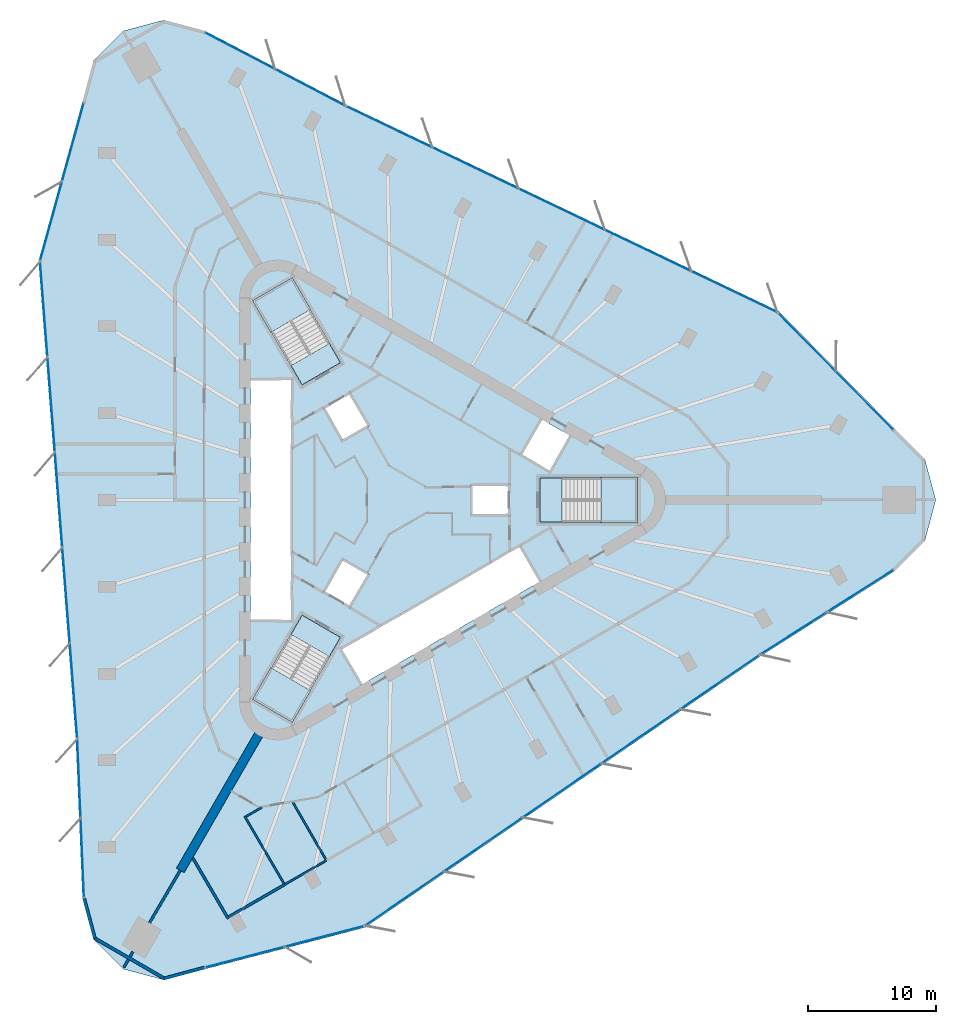
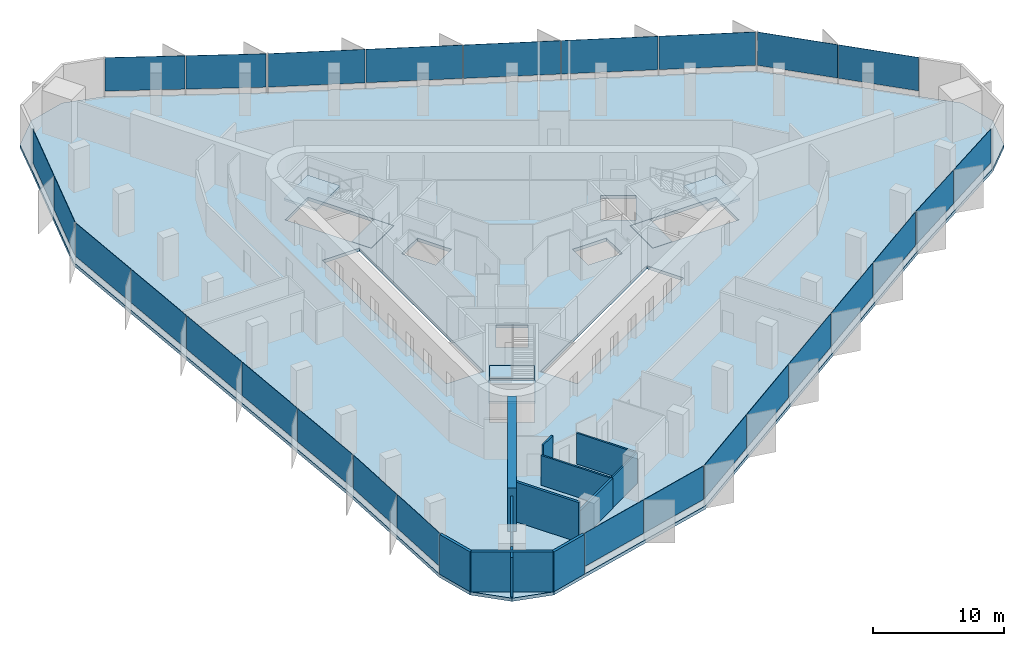
# One storey, part 7 of 13: 27 plates, 13 walls, 7 slabs, 12 elements without a shape of their own.
"""IFC4 building model written with IfcOpenShell, lengths in metres."""

from ifc_helpers import new_model, si_unit, direction, frame, frame_2d, origin, origin_2d, place, context, subcontext, project, spatial, polyline, rectangle, outline, extrude, material, layer, layer_set, type_object, element, aggregate, save


model = new_model("IFC4")

# Units and contexts
model_context = context("Model", 3, precision=1e-05, world=origin(), true_north=direction((0.0, 1.0)))
body_context = subcontext(model_context, "Body", "Model", "MODEL_VIEW")
ifc_project = project(units=[si_unit("LENGTHUNIT", "METRE"), si_unit("AREAUNIT", "SQUARE_METRE"), si_unit("VOLUMEUNIT", "CUBIC_METRE"), si_unit("PLANEANGLEUNIT", "RADIAN"), si_unit("MASSUNIT", "GRAM", prefix="KILO")], contexts=[model_context])

# Site, building, storey
site_placement = place(None, origin())
site = spatial("IfcSite", under=ifc_project, at=site_placement, CompositionType="ELEMENT")
building_placement = place(site_placement, origin())
building = spatial("IfcBuilding", under=site, at=building_placement, Name="Tanit Gate Tower", CompositionType="ELEMENT")
storey_placement = place(building_placement, frame((0.0, 0.0, 185.199951171875)))
storey = spatial("IfcBuildingStorey", under=building, at=storey_placement, Name="L40", CompositionType="ELEMENT", Elevation=185.199951171875)

# Slab
ifc_material_1 = material(Name="Concrete C35/45", Category="concrete")
ifc_layer_1 = layer(ifc_material_1, 0.300048828125)
ifc_layer_set_1 = layer_set([ifc_layer_1], Name="FLOOR SLAB 300 C35/45")
slab_type_1 = type_object("IfcSlabType", Name="FLOOR SLAB 300 C35/45", PredefinedType="FLOOR", material=ifc_layer_set_1)
slab_1_placement = place(storey_placement, frame((0.0, 0.0, -0.300048828125)))
element("IfcSlab", 1, at=slab_1_placement, inside=storey, type_object=slab_type_1, Name="FLOOR SLAB L40", PredefinedType="FLOOR", context=body_context, shape_type="SweptSolid", body=[
    extrude(outline(polyline([(39.06396484375, 5.522705078125), (41.39794921875, 3.1884765625), (42.25244140625, 0.0), (41.39794921875, -3.1884765625), (39.06396484375, -5.522705078125), (28.564453125, -12.192138671875), (-2.2705078125, -33.35009765625), (-14.749267578125, -36.591552734375), (-17.937744140625, -37.446044921875), (-21.126220703125, -36.591552734375), (-23.460205078125, -34.257568359375), (-24.314697265625, -31.069091796875), (-24.8408203125, -18.641357421875), (-27.74658203125, 18.641357421875), (-24.314697265625, 31.069091796875), (-23.460205078125, 34.257568359375), (-21.126220703125, 36.591552734375), (-17.937744140625, 37.446044921875), (-14.749267578125, 36.591552734375), (-3.723388671875, 30.83349609375), (30.01708984375, 14.70849609375), (39.06396484375, 5.522705078125)]), holes=[polyline([(11.3701171875, 1.72998046875), (18.929931640625, 1.72998046875), (18.929931640625, -1.72998046875), (11.3701171875, -1.72998046875), (11.3701171875, 1.72998046875)]), polyline([(9.82080078125, 3.510009765625), (11.44580078125, 6.324462890625), (13.783935546875, 4.974609375), (12.158935546875, 2.159912109375), (9.82080078125, 3.510009765625)]), polyline([(-4.208984375, -11.60986328125), (9.82080078125, -3.510009765625), (11.44580078125, -6.324462890625), (-2.583984375, -14.424560546875), (-4.208984375, -11.60986328125)]), polyline([(6.0, 1.199951171875), (9.0, 1.199951171875), (9.0, -1.199951171875), (6.0, -1.199951171875), (6.0, 1.199951171875)]), polyline([(-5.539306640625, 7.194091796875), (-3.460693359375, 8.394287109375), (-1.960693359375, 5.796142578125), (-4.039306640625, 4.59619140625), (-5.539306640625, 7.194091796875)]), polyline([(-1.960693359375, -5.796142578125), (-3.460693359375, -8.394287109375), (-5.539306640625, -7.194091796875), (-4.039306640625, -4.59619140625), (-1.960693359375, -5.796142578125)]), polyline([(-10.963134765625, 15.52880859375), (-7.966796875, 17.2587890625), (-4.186767578125, 10.711669921875), (-7.18310546875, 8.981689453125), (-10.963134765625, 15.52880859375)]), polyline([(-4.186767578125, -10.711669921875), (-7.966796875, -17.2587890625), (-10.963134765625, -15.52880859375), (-7.18310546875, -8.981689453125), (-4.186767578125, -10.711669921875)]), polyline([(-11.199951171875, -9.449951171875), (-11.199951171875, 9.449951171875), (-7.949951171875, 9.449951171875), (-7.949951171875, -9.449951171875), (-11.199951171875, -9.449951171875)])]), origin(), (0.0, 0.0, 1.0), 0.300048828125),
])

# Curtain wall, plates
ifc_material_2 = material(Name="Aluminium bronze anodised and glass", Category="aluminium")
curtain_wall_type = type_object("IfcCurtainWallType", Name="Curtain wall typical mid", PredefinedType="NOTDEFINED", material=ifc_material_2)
curtain_wall_1_placement = place(storey_placement, origin())
curtain_wall_1 = element("IfcCurtainWall", 2, at=curtain_wall_1_placement, inside=storey, type_object=curtain_wall_type, Name="Curtain wall L40 NE1", PredefinedType="NOTDEFINED")
ifc_material_3 = material(Name="Glass tinted", Category="glass")
ifc_layer_2 = layer(ifc_material_3, 0.030029296875)
ifc_layer_set_2 = layer_set([ifc_layer_2], Name="Glass panel 30 typical mid")
plate_type = type_object("IfcPlateType", Name="Glass panel 30 typical mid", PredefinedType="CURTAIN_PANEL", material=ifc_layer_set_2)
plate_1_placement = place(storey_placement, frame((36.70654296875, 7.7451171875, 0.60009765625), z_axis=(0.0, 0.0, 1.0), x_axis=(-0.701683751549, 0.712488535215, 0.0)))
plate_1 = element("IfcPlate", 3, at=plate_1_placement, type_object=plate_type, Name="Glass panel L40 NE1.1", PredefinedType="CURTAIN_PANEL", context=body_context, shape_type="SweptSolid", body=[
    extrude(rectangle(XDim=6.316162109375, YDim=0.030029296875, at=origin_2d()), origin(), (0.0, 0.0, 1.0), 3.10009765625),
])
plate_2_placement = place(storey_placement, frame((32.218505859375, 12.30224609375, 0.60009765625), z_axis=(0.0, 0.0, 1.0), x_axis=(-0.701683751549, 0.712488535215, 0.0)))
plate_2 = element("IfcPlate", 4, at=plate_2_placement, type_object=plate_type, Name="Glass panel L40 NE1.2", PredefinedType="CURTAIN_PANEL", context=body_context, shape_type="SweptSolid", body=[
    extrude(rectangle(XDim=6.316162109375, YDim=0.030029296875, at=origin_2d()), origin(), (0.0, 0.0, 1.0), 3.10009765625),
])
aggregate(curtain_wall_1, [plate_1, plate_2])

curtain_wall_2_placement = place(storey_placement, origin())
curtain_wall_2 = element("IfcCurtainWall", 5, at=curtain_wall_2_placement, inside=storey, type_object=curtain_wall_type, Name="Curtain wall L40 NE2", PredefinedType="NOTDEFINED")
plate_3_placement = place(storey_placement, frame((26.545166015625, 16.23486328125, 0.60009765625), z_axis=(0.0, 0.0, 1.0), x_axis=(-0.902257718288, 0.431197182029, 0.0)))
plate_3 = element("IfcPlate", 6, at=plate_3_placement, type_object=plate_type, Name="Glass panel L40 NE2.1", PredefinedType="CURTAIN_PANEL", context=body_context, shape_type="SweptSolid", body=[
    extrude(rectangle(XDim=7.37939453125, YDim=0.030029296875, at=origin_2d()), origin(), (0.0, 0.0, 1.0), 3.10009765625),
])
plate_4_placement = place(storey_placement, frame((19.81494140625, 19.451416015625, 0.60009765625), z_axis=(0.0, 0.0, 1.0), x_axis=(-0.902257718288, 0.431197182029, 0.0)))
plate_4 = element("IfcPlate", 7, at=plate_4_placement, type_object=plate_type, Name="Glass panel L40 NE2.2", PredefinedType="CURTAIN_PANEL", context=body_context, shape_type="SweptSolid", body=[
    extrude(rectangle(XDim=7.37939453125, YDim=0.030029296875, at=origin_2d()), origin(), (0.0, 0.0, 1.0), 3.10009765625),
])
plate_5_placement = place(storey_placement, frame((13.084716796875, 22.667724609375, 0.60009765625), z_axis=(0.0, 0.0, 1.0), x_axis=(-0.902257718288, 0.431197182029, 0.0)))
plate_5 = element("IfcPlate", 8, at=plate_5_placement, type_object=plate_type, Name="Glass panel L40 NE2.3", PredefinedType="CURTAIN_PANEL", context=body_context, shape_type="SweptSolid", body=[
    extrude(rectangle(XDim=7.37939453125, YDim=0.030029296875, at=origin_2d()), origin(), (0.0, 0.0, 1.0), 3.10009765625),
])
plate_6_placement = place(storey_placement, frame((6.354248046875, 25.88427734375, 0.60009765625), z_axis=(0.0, 0.0, 1.0), x_axis=(-0.902257718288, 0.431197182029, 0.0)))
plate_6 = element("IfcPlate", 9, at=plate_6_placement, type_object=plate_type, Name="Glass panel L40 NE2.4", PredefinedType="CURTAIN_PANEL", context=body_context, shape_type="SweptSolid", body=[
    extrude(rectangle(XDim=7.37939453125, YDim=0.030029296875, at=origin_2d()), origin(), (0.0, 0.0, 1.0), 3.10009765625),
])
plate_7_placement = place(storey_placement, frame((-0.3759765625, 29.100830078125, 0.60009765625), z_axis=(0.0, 0.0, 1.0), x_axis=(-0.902257718288, 0.431197182029, 0.0)))
plate_7 = element("IfcPlate", 10, at=plate_7_placement, type_object=plate_type, Name="Glass panel L40 NE2.5", PredefinedType="CURTAIN_PANEL", context=body_context, shape_type="SweptSolid", body=[
    extrude(rectangle(XDim=7.37939453125, YDim=0.030029296875, at=origin_2d()), origin(), (0.0, 0.0, 1.0), 3.10009765625),
])
aggregate(curtain_wall_2, [plate_3, plate_4, plate_5, plate_6, plate_7])

curtain_wall_3_placement = place(storey_placement, origin())
curtain_wall_3 = element("IfcCurtainWall", 11, at=curtain_wall_3_placement, inside=storey, type_object=curtain_wall_type, Name="Curtain wall L40 NE3", PredefinedType="NOTDEFINED")
plate_8_placement = place(storey_placement, frame((-6.548828125, 32.173828125, 0.60009765625), z_axis=(0.0, 0.0, 1.0), x_axis=(-0.886403364276, 0.462913680722, 0.0)))
plate_8 = element("IfcPlate", 12, at=plate_8_placement, type_object=plate_type, Name="Glass panel L40 NE3.1", PredefinedType="CURTAIN_PANEL", context=body_context, shape_type="SweptSolid", body=[
    extrude(rectangle(XDim=6.09375, YDim=0.030029296875, at=origin_2d()), origin(), (0.0, 0.0, 1.0), 3.10009765625),
])
plate_9_placement = place(storey_placement, frame((-12.021240234375, 35.03173828125, 0.60009765625), z_axis=(0.0, 0.0, 1.0), x_axis=(-0.886403364276, 0.462913680722, 0.0)))
plate_9 = element("IfcPlate", 13, at=plate_9_placement, type_object=plate_type, Name="Glass panel L40 NE3.2", PredefinedType="CURTAIN_PANEL", context=body_context, shape_type="SweptSolid", body=[
    extrude(rectangle(XDim=6.09375, YDim=0.030029296875, at=origin_2d()), origin(), (0.0, 0.0, 1.0), 3.10009765625),
])
aggregate(curtain_wall_3, [plate_8, plate_9])

curtain_wall_4_placement = place(storey_placement, origin())
curtain_wall_4 = element("IfcCurtainWall", 14, at=curtain_wall_4_placement, inside=storey, type_object=curtain_wall_type, Name="Curtain wall L40 W1", PredefinedType="NOTDEFINED")
plate_10_placement = place(storey_placement, frame((-25.060791015625, 27.916259765625, 0.60009765625), z_axis=(0.0, 0.0, 1.0), x_axis=(-0.266191295627, -0.963920221871, 0.0)))
plate_10 = element("IfcPlate", 15, at=plate_10_placement, type_object=plate_type, Name="Glass panel L40 W1.1", PredefinedType="CURTAIN_PANEL", context=body_context, shape_type="SweptSolid", body=[
    extrude(rectangle(XDim=6.316162109375, YDim=0.030029296875, at=origin_2d()), origin(), (0.0, 0.0, 1.0), 3.10009765625),
])
plate_11_placement = place(storey_placement, frame((-26.763427734375, 21.7509765625, 0.60009765625), z_axis=(0.0, 0.0, 1.0), x_axis=(-0.266191295627, -0.963920221871, 0.0)))
plate_11 = element("IfcPlate", 16, at=plate_11_placement, type_object=plate_type, Name="Glass panel L40 W1.2", PredefinedType="CURTAIN_PANEL", context=body_context, shape_type="SweptSolid", body=[
    extrude(rectangle(XDim=6.316162109375, YDim=0.030029296875, at=origin_2d()), origin(), (0.0, 0.0, 1.0), 3.10009765625),
])
aggregate(curtain_wall_4, [plate_10, plate_11])

curtain_wall_5_placement = place(storey_placement, origin())
curtain_wall_5 = element("IfcCurtainWall", 17, at=curtain_wall_5_placement, inside=storey, type_object=curtain_wall_type, Name="Curtain wall L40 W2", PredefinedType="NOTDEFINED")
plate_12_placement = place(storey_placement, frame((-27.33251953125, 14.871337890625, 0.60009765625), z_axis=(0.0, 0.0, 1.0), x_axis=(0.077701145467, -0.996976695812, 0.0)))
plate_12 = element("IfcPlate", 18, at=plate_12_placement, type_object=plate_type, Name="Glass panel L40 W2.1", PredefinedType="CURTAIN_PANEL", context=body_context, shape_type="SweptSolid", body=[
    extrude(rectangle(XDim=7.37939453125, YDim=0.030029296875, at=origin_2d()), origin(), (0.0, 0.0, 1.0), 3.10009765625),
])
plate_13_placement = place(storey_placement, frame((-26.7529296875, 7.4345703125, 0.60009765625), z_axis=(0.0, 0.0, 1.0), x_axis=(0.077701145467, -0.996976695812, 0.0)))
plate_13 = element("IfcPlate", 19, at=plate_13_placement, type_object=plate_type, Name="Glass panel L40 W2.2", PredefinedType="CURTAIN_PANEL", context=body_context, shape_type="SweptSolid", body=[
    extrude(rectangle(XDim=7.37939453125, YDim=0.030029296875, at=origin_2d()), origin(), (0.0, 0.0, 1.0), 3.10009765625),
])
plate_14_placement = place(storey_placement, frame((-26.17333984375, -0.002197265625, 0.60009765625), z_axis=(0.0, 0.0, 1.0), x_axis=(0.077701145467, -0.996976695812, 0.0)))
plate_14 = element("IfcPlate", 20, at=plate_14_placement, type_object=plate_type, Name="Glass panel L40 W2.3", PredefinedType="CURTAIN_PANEL", context=body_context, shape_type="SweptSolid", body=[
    extrude(rectangle(XDim=7.37939453125, YDim=0.030029296875, at=origin_2d()), origin(), (0.0, 0.0, 1.0), 3.10009765625),
])
plate_15_placement = place(storey_placement, frame((-25.59375, -7.439208984375, 0.60009765625), z_axis=(0.0, 0.0, 1.0), x_axis=(0.077701145467, -0.996976695812, 0.0)))
plate_15 = element("IfcPlate", 21, at=plate_15_placement, type_object=plate_type, Name="Glass panel L40 W2.4", PredefinedType="CURTAIN_PANEL", context=body_context, shape_type="SweptSolid", body=[
    extrude(rectangle(XDim=7.37939453125, YDim=0.030029296875, at=origin_2d()), origin(), (0.0, 0.0, 1.0), 3.10009765625),
])
plate_16_placement = place(storey_placement, frame((-25.01416015625, -14.8759765625, 0.60009765625), z_axis=(0.0, 0.0, 1.0), x_axis=(0.077701145467, -0.996976695812, 0.0)))
plate_16 = element("IfcPlate", 22, at=plate_16_placement, type_object=plate_type, Name="Glass panel L40 W2.5", PredefinedType="CURTAIN_PANEL", context=body_context, shape_type="SweptSolid", body=[
    extrude(rectangle(XDim=7.37939453125, YDim=0.030029296875, at=origin_2d()), origin(), (0.0, 0.0, 1.0), 3.10009765625),
])
aggregate(curtain_wall_5, [plate_12, plate_13, plate_14, plate_15, plate_16])

curtain_wall_6_placement = place(storey_placement, origin())
curtain_wall_6 = element("IfcCurtainWall", 23, at=curtain_wall_6_placement, inside=storey, type_object=curtain_wall_type, Name="Curtain wall L40 W3", PredefinedType="NOTDEFINED")
plate_17_placement = place(storey_placement, frame((-24.5888671875, -21.75830078125, 0.60009765625), z_axis=(0.0, 0.0, 1.0), x_axis=(0.042306674873, -0.999104671824, 0.0)))
plate_17 = element("IfcPlate", 24, at=plate_17_placement, type_object=plate_type, Name="Glass panel L40 W3.1", PredefinedType="CURTAIN_PANEL", context=body_context, shape_type="SweptSolid", body=[
    extrude(rectangle(XDim=6.09375, YDim=0.030029296875, at=origin_2d()), origin(), (0.0, 0.0, 1.0), 3.10009765625),
])
plate_18_placement = place(storey_placement, frame((-24.32763671875, -27.926513671875, 0.60009765625), z_axis=(0.0, 0.0, 1.0), x_axis=(0.042306674873, -0.999104671824, 0.0)))
plate_18 = element("IfcPlate", 25, at=plate_18_placement, type_object=plate_type, Name="Glass panel L40 W3.2", PredefinedType="CURTAIN_PANEL", context=body_context, shape_type="SweptSolid", body=[
    extrude(rectangle(XDim=6.09375, YDim=0.030029296875, at=origin_2d()), origin(), (0.0, 0.0, 1.0), 3.10009765625),
])
aggregate(curtain_wall_6, [plate_17, plate_18])

curtain_wall_7_placement = place(storey_placement, origin())
curtain_wall_7 = element("IfcCurtainWall", 26, at=curtain_wall_7_placement, inside=storey, type_object=curtain_wall_type, Name="Curtain wall L40 SE1", PredefinedType="NOTDEFINED")
plate_19_placement = place(storey_placement, frame((-11.645751953125, -35.661376953125, 0.60009765625), z_axis=(0.0, 0.0, 1.0), x_axis=(0.967875047175, 0.251431686657, 0.0)))
plate_19 = element("IfcPlate", 27, at=plate_19_placement, type_object=plate_type, Name="Glass panel L40 SE1.1", PredefinedType="CURTAIN_PANEL", context=body_context, shape_type="SweptSolid", body=[
    extrude(rectangle(XDim=6.316162109375, YDim=0.030029296875, at=origin_2d()), origin(), (0.0, 0.0, 1.0), 3.10009765625),
])
plate_20_placement = place(storey_placement, frame((-5.455078125, -34.05322265625, 0.60009765625), z_axis=(0.0, 0.0, 1.0), x_axis=(0.967875047175, 0.251431686657, 0.0)))
plate_20 = element("IfcPlate", 28, at=plate_20_placement, type_object=plate_type, Name="Glass panel L40 SE1.2", PredefinedType="CURTAIN_PANEL", context=body_context, shape_type="SweptSolid", body=[
    extrude(rectangle(XDim=6.316162109375, YDim=0.030029296875, at=origin_2d()), origin(), (0.0, 0.0, 1.0), 3.10009765625),
])
aggregate(curtain_wall_7, [plate_19, plate_20])

curtain_wall_8_placement = place(storey_placement, origin())
curtain_wall_8 = element("IfcCurtainWall", 29, at=curtain_wall_8_placement, inside=storey, type_object=curtain_wall_type, Name="Curtain wall L40 SE2", PredefinedType="NOTDEFINED")
plate_21_placement = place(storey_placement, frame((0.787109375, -31.106201171875, 0.60009765625), z_axis=(0.0, 0.0, 1.0), x_axis=(0.824556572821, 0.565779513784, 0.0)))
plate_21 = element("IfcPlate", 30, at=plate_21_placement, type_object=plate_type, Name="Glass panel L40 SE2.1", PredefinedType="CURTAIN_PANEL", context=body_context, shape_type="SweptSolid", body=[
    extrude(rectangle(XDim=7.37939453125, YDim=0.030029296875, at=origin_2d()), origin(), (0.0, 0.0, 1.0), 3.10009765625),
])
plate_22_placement = place(storey_placement, frame((6.93798828125, -26.885986328125, 0.60009765625), z_axis=(0.0, 0.0, 1.0), x_axis=(0.824556572821, 0.565779513784, 0.0)))
plate_22 = element("IfcPlate", 31, at=plate_22_placement, type_object=plate_type, Name="Glass panel L40 SE2.2", PredefinedType="CURTAIN_PANEL", context=body_context, shape_type="SweptSolid", body=[
    extrude(rectangle(XDim=7.37939453125, YDim=0.030029296875, at=origin_2d()), origin(), (0.0, 0.0, 1.0), 3.10009765625),
])
plate_23_placement = place(storey_placement, frame((13.088623046875, -22.66552734375, 0.60009765625), z_axis=(0.0, 0.0, 1.0), x_axis=(0.824556572821, 0.565779513784, 0.0)))
plate_23 = element("IfcPlate", 32, at=plate_23_placement, type_object=plate_type, Name="Glass panel L40 SE2.3", PredefinedType="CURTAIN_PANEL", context=body_context, shape_type="SweptSolid", body=[
    extrude(rectangle(XDim=7.37939453125, YDim=0.030029296875, at=origin_2d()), origin(), (0.0, 0.0, 1.0), 3.10009765625),
])
plate_24_placement = place(storey_placement, frame((19.2392578125, -18.4453125, 0.60009765625), z_axis=(0.0, 0.0, 1.0), x_axis=(0.824556572821, 0.565779513784, 0.0)))
plate_24 = element("IfcPlate", 33, at=plate_24_placement, type_object=plate_type, Name="Glass panel L40 SE2.4", PredefinedType="CURTAIN_PANEL", context=body_context, shape_type="SweptSolid", body=[
    extrude(rectangle(XDim=7.37939453125, YDim=0.030029296875, at=origin_2d()), origin(), (0.0, 0.0, 1.0), 3.10009765625),
])
plate_25_placement = place(storey_placement, frame((25.389892578125, -14.224853515625, 0.60009765625), z_axis=(0.0, 0.0, 1.0), x_axis=(0.824556572821, 0.565779513784, 0.0)))
plate_25 = element("IfcPlate", 34, at=plate_25_placement, type_object=plate_type, Name="Glass panel L40 SE2.5", PredefinedType="CURTAIN_PANEL", context=body_context, shape_type="SweptSolid", body=[
    extrude(rectangle(XDim=7.37939453125, YDim=0.030029296875, at=origin_2d()), origin(), (0.0, 0.0, 1.0), 3.10009765625),
])
aggregate(curtain_wall_8, [plate_21, plate_22, plate_23, plate_24, plate_25])

curtain_wall_9_placement = place(storey_placement, origin())
curtain_wall_9 = element("IfcCurtainWall", 35, at=curtain_wall_9_placement, inside=storey, type_object=curtain_wall_type, Name="Curtain wall L40 SE3", PredefinedType="NOTDEFINED")
plate_26_placement = place(storey_placement, frame((31.1376953125, -10.41552734375, 0.60009765625), z_axis=(0.0, 0.0, 1.0), x_axis=(0.844096689403, 0.536190991102, 0.0)))
plate_26 = element("IfcPlate", 36, at=plate_26_placement, type_object=plate_type, Name="Glass panel L40 SE3.1", PredefinedType="CURTAIN_PANEL", context=body_context, shape_type="SweptSolid", body=[
    extrude(rectangle(XDim=6.09375, YDim=0.030029296875, at=origin_2d()), origin(), (0.0, 0.0, 1.0), 3.10009765625),
])
plate_27_placement = place(storey_placement, frame((36.348876953125, -7.10498046875, 0.60009765625), z_axis=(0.0, 0.0, 1.0), x_axis=(0.844096689403, 0.536190991102, 0.0)))
plate_27 = element("IfcPlate", 37, at=plate_27_placement, type_object=plate_type, Name="Glass panel L40 SE3.2", PredefinedType="CURTAIN_PANEL", context=body_context, shape_type="SweptSolid", body=[
    extrude(rectangle(XDim=6.09375, YDim=0.030029296875, at=origin_2d()), origin(), (0.0, 0.0, 1.0), 3.10009765625),
])
aggregate(curtain_wall_9, [plate_26, plate_27])

# Stair, slab
ifc_material_4 = material(Name="Concrete C40/50", Category="concrete")
stair_type = type_object("IfcStairType", Name="INT-STAIR-EXIT", PredefinedType="HALF_TURN_STAIR", material=ifc_material_4)
stair_1_placement = place(storey_placement, origin())
stair_1 = element("IfcStair", 38, at=stair_1_placement, inside=storey, type_object=stair_type, Name="L40 STAIR S1", PredefinedType="HALF_TURN_STAIR")
ifc_material_5 = material(Name="Concrete C40/50", Category="concrete")
ifc_layer_3 = layer(ifc_material_5, 0.199951171875)
ifc_layer_set_3 = layer_set([ifc_layer_3], Name="INT-STAIR-LANDING")
slab_type_2 = type_object("IfcSlabType", Name="INT-STAIR-LANDING", PredefinedType="LANDING", material=ifc_layer_set_3)
slab_2_placement = place(storey_placement, frame((0.0, 0.0, 1.800048828125)))
slab_2 = element("IfcSlab", 39, at=slab_2_placement, type_object=slab_type_2, Name="S1 landing 1", PredefinedType="LANDING", context=body_context, shape_type="SweptSolid", body=[
    extrude(outline(polyline([(16.135986328125, -1.800048828125), (19.0, -1.800048828125), (19.0, 1.800048828125), (16.135986328125, 1.800048828125), (16.135986328125, -1.800048828125)])), origin(), (0.0, 0.0, 1.0), 0.199951171875),
])
aggregate(stair_1, [slab_2])

# Slab
slab_3_placement = place(storey_placement, frame((0.0, 0.0, -0.199951171875)))
element("IfcSlab", 40, at=slab_3_placement, inside=storey, type_object=slab_type_2, Name="S1 floor landing", PredefinedType="LANDING", context=body_context, shape_type="SweptSolid", body=[
    extrude(outline(polyline([(11.3798828125, -1.719970703125), (13.10498046875, -1.719970703125), (13.10498046875, 1.719970703125), (11.3798828125, 1.719970703125), (11.3798828125, -1.719970703125)])), origin(), (0.0, 0.0, 1.0), 0.199951171875),
])

# Stair, slab
stair_2_placement = place(storey_placement, origin())
stair_2 = element("IfcStair", 41, at=stair_2_placement, inside=storey, type_object=stair_type, Name="L40 STAIR S2", PredefinedType="HALF_TURN_STAIR")
slab_4_placement = place(storey_placement, frame((0.0, 0.0, 1.800048828125)))
slab_4 = element("IfcSlab", 42, at=slab_4_placement, type_object=slab_type_2, Name="S2 landing 1", PredefinedType="LANDING", context=body_context, shape_type="SweptSolid", body=[
    extrude(outline(polyline([(-6.5078125, 14.871826171875), (-7.941162109375, 17.3544921875), (-11.058837890625, 15.554443359375), (-9.62548828125, 13.07177734375), (-6.5078125, 14.871826171875)])), origin(), (0.0, 0.0, 1.0), 0.199951171875),
])
aggregate(stair_2, [slab_4])

# Slab
slab_5_placement = place(storey_placement, frame((0.0, 0.0, -0.199951171875)))
element("IfcSlab", 43, at=slab_5_placement, inside=storey, type_object=slab_type_2, Name="S2 floor landing", PredefinedType="LANDING", context=body_context, shape_type="SweptSolid", body=[
    extrude(outline(polyline([(-4.200439453125, 10.71533203125), (-5.0625, 12.20849609375), (-8.04150390625, 10.48828125), (-7.179443359375, 8.995361328125), (-4.200439453125, 10.71533203125)])), origin(), (0.0, 0.0, 1.0), 0.199951171875),
])

# Stair, slab
stair_3_placement = place(storey_placement, origin())
stair_3 = element("IfcStair", 44, at=stair_3_placement, inside=storey, type_object=stair_type, Name="L40 STAIR S3", PredefinedType="HALF_TURN_STAIR")
slab_6_placement = place(storey_placement, frame((0.0, 0.0, 1.800048828125)))
slab_6 = element("IfcSlab", 45, at=slab_6_placement, type_object=slab_type_2, Name="S3 landing 1", PredefinedType="LANDING", context=body_context, shape_type="SweptSolid", body=[
    extrude(outline(polyline([(-9.626953125, -13.07421875), (-11.058837890625, -15.554443359375), (-7.941162109375, -17.3544921875), (-6.509033203125, -14.874267578125), (-9.626953125, -13.07421875)])), origin(), (0.0, 0.0, 1.0), 0.199951171875),
])
aggregate(stair_3, [slab_6])

# Slab
slab_7_placement = place(storey_placement, frame((0.0, 0.0, -0.199951171875)))
element("IfcSlab", 46, at=slab_7_placement, inside=storey, type_object=slab_type_2, Name="S3 floor landing", PredefinedType="LANDING", context=body_context, shape_type="SweptSolid", body=[
    extrude(outline(polyline([(-7.179443359375, -8.995361328125), (-8.0419921875, -10.4892578125), (-5.06298828125, -12.209228515625), (-4.200439453125, -10.71533203125), (-7.179443359375, -8.995361328125)])), origin(), (0.0, 0.0, 1.0), 0.199951171875),
])

# Walls
ifc_material_6 = material(Name="Concrete C50/60", Category="concrete")
ifc_layer_4 = layer(ifc_material_6, 0.699951171875)
ifc_layer_set_4 = layer_set([ifc_layer_4], Name="BUTTRESS FIN 700 C50/60")
wall_type_1 = type_object("IfcWallType", Name="BUTTRESS FIN 700 C50/60", PredefinedType="SHEAR", material=ifc_layer_set_4)
wall_1_placement = place(storey_placement, frame((-10.574951171875, -18.31640625, 0.0), z_axis=(0.0, 0.0, 1.0), x_axis=(-0.500002625756, -0.866023887798, 0.0)))
element("IfcWall", 47, at=wall_1_placement, inside=storey, type_object=wall_type_1, Name="BUTTRESS FIN", PredefinedType="SHEAR", context=body_context, shape_type="SweptSolid", body=[
    extrude(rectangle(XDim=12.2197265625, YDim=0.699951171875, at=frame_2d((6.10986328125, 0.0))), origin(), (0.0, 0.0, 1.0), 4.0),
])
ifc_material_7 = material(Name="Concrete C30/37 with bronze anodised aluminium cladding", Category="concrete")
ifc_layer_5 = layer(ifc_material_7, 0.239990234375)
ifc_layer_set_5 = layer_set([ifc_layer_5], Name="Facade wall bronze clad 240")
wall_type_2 = type_object("IfcWallType", Name="Facade wall bronze clad 240", PredefinedType="SOLIDWALL", material=ifc_layer_set_5)
wall_2_placement = place(storey_placement, frame((-24.1953125, -31.05078125, 0.0), z_axis=(0.0, 0.0, 1.0), x_axis=(0.258806058597, -0.965929305919, 0.0)))
element("IfcWall", 48, at=wall_2_placement, inside=storey, type_object=wall_type_2, Name="Bronze-clad facade wall L40 SW.arc1", PredefinedType="SOLIDWALL", context=body_context, shape_type="SweptSolid", body=[
    extrude(rectangle(XDim=3.25537109375, YDim=0.239990234375, at=frame_2d((1.627685546875, 0.0))), origin(), (0.0, 0.0, 1.0), 3.699951171875),
])
wall_3_placement = place(storey_placement, frame((-23.352783203125, -34.1953125, 0.0), z_axis=(0.0, 0.0, 1.0), x_axis=(0.866019130722, -0.500010865105, 0.0)))
element("IfcWall", 49, at=wall_3_placement, inside=storey, type_object=wall_type_2, Name="Bronze-clad facade wall L40 SW.arc2", PredefinedType="SOLIDWALL", context=body_context, shape_type="SweptSolid", body=[
    extrude(rectangle(XDim=6.252685546875, YDim=0.239990234375, at=frame_2d((3.12646484375, 0.0))), origin(), (0.0, 0.0, 1.0), 3.699951171875),
])
wall_4_placement = place(storey_placement, frame((-17.937744140625, -37.32177734375, 0.0), z_axis=(0.0, 0.0, 1.0), x_axis=(0.965924385118, 0.258824423565, 0.0)))
element("IfcWall", 50, at=wall_4_placement, inside=storey, type_object=wall_type_2, Name="Bronze-clad facade wall L40 SW.arc3", PredefinedType="SOLIDWALL", context=body_context, shape_type="SweptSolid", body=[
    extrude(rectangle(XDim=3.269287109375, YDim=0.239990234375, at=frame_2d((1.634765625, 0.0))), origin(), (0.0, 0.0, 1.0), 3.699951171875),
])
ifc_material_8 = material(Name="Fire-rated gypsum board partition")
ifc_layer_6 = layer(ifc_material_8, 0.199951171875)
ifc_layer_set_6 = layer_set([ifc_layer_6], Name="INT-WALL-COMPARTMENT")
wall_type_3 = type_object("IfcWallType", Name="INT-WALL-COMPARTMENT", PredefinedType="PARTITIONING", material=ifc_layer_set_6)
wall_5_placement = place(storey_placement, frame((-21.0859375, -36.462158203125, 0.0), z_axis=(0.0, 0.0, 1.0), x_axis=(0.499801860585, 0.866139769411, 0.0)))
element("IfcWall", 51, at=wall_5_placement, inside=storey, type_object=wall_type_3, Name="Wall Compartment W115", PredefinedType="PARTITIONING", context=body_context, shape_type="SweptSolid", body=[
    extrude(rectangle(XDim=0.709716796875, YDim=0.199951171875, at=frame_2d((0.35498046875, 0.0))), origin(), (0.0, 0.0, 1.0), 3.699951171875),
])
wall_6_placement = place(storey_placement, frame((-20.611083984375, -35.6396484375, 0.0), z_axis=(0.0, 0.0, 1.0), x_axis=(0.499842898591, 0.866116087328, 0.0)))
element("IfcWall", 52, at=wall_6_placement, inside=storey, type_object=wall_type_3, Name="Wall Compartment W115x1", PredefinedType="PARTITIONING", context=body_context, shape_type="SweptSolid", body=[
    extrude(rectangle(XDim=0.468017578125, YDim=0.199951171875, at=frame_2d((0.23388671875, 0.0))), origin(), (0.0, 0.0, 1.0), 3.699951171875),
])
wall_7_placement = place(storey_placement, frame((-19.0771484375, -32.982666015625, 0.0), z_axis=(0.0, 0.0, 1.0), x_axis=(0.504095526605, 0.863647902827, 0.0)))
element("IfcWall", 53, at=wall_7_placement, inside=storey, type_object=wall_type_3, Name="Wall Compartment W116", PredefinedType="PARTITIONING", context=body_context, shape_type="SweptSolid", body=[
    extrude(rectangle(XDim=4.732666015625, YDim=0.199951171875, at=frame_2d((2.3662109375, 0.0))), origin(), (0.0, 0.0, 1.0), 3.27001953125),
])
wall_8_placement = place(storey_placement, frame((-8.543212890625, -30.0009765625, 0.0), z_axis=(0.0, 0.0, 1.0), x_axis=(-0.866017018378, -0.500014523669, 0.0)))
element("IfcWall", 54, at=wall_8_placement, inside=storey, type_object=wall_type_3, Name="Wall Compartment W130", PredefinedType="PARTITIONING", context=body_context, shape_type="SweptSolid", body=[
    extrude(rectangle(XDim=5.040771484375, YDim=0.199951171875, at=frame_2d((2.5205078125, 0.0))), origin(), (0.0, 0.0, 1.0), 2.780029296875),
])
wall_9_placement = place(storey_placement, frame((-15.71435546875, -27.91796875, 0.0), z_axis=(0.0, 0.0, 1.0), x_axis=(0.504506882404, -0.863407670574, 0.0)))
element("IfcWall", 55, at=wall_9_placement, inside=storey, type_object=wall_type_3, Name="Wall Compartment W129", PredefinedType="PARTITIONING", context=body_context, shape_type="SweptSolid", body=[
    extrude(rectangle(XDim=5.489501953125, YDim=0.199951171875, at=frame_2d((2.74462890625, 0.0))), origin(), (0.0, 0.0, 1.0), 3.699951171875),
])
ifc_material_9 = material(Name="Fire-rated gypsum board partition")
ifc_layer_7 = layer(ifc_material_9, 0.14990234375)
ifc_layer_set_7 = layer_set([ifc_layer_7], Name="INT-WALL-RISER")
wall_type_4 = type_object("IfcWallType", Name="INT-WALL-RISER", PredefinedType="PLUMBINGWALL", material=ifc_layer_set_7)
wall_10_placement = place(storey_placement, frame((-5.280029296875, -28.116943359375, 0.0), z_axis=(0.0, 0.0, 1.0), x_axis=(-0.866021579651, -0.500006623535, 0.0)))
element("IfcWall", 56, at=wall_10_placement, inside=storey, type_object=wall_type_4, Name="Wall Riser W128", PredefinedType="PLUMBINGWALL", context=body_context, shape_type="SweptSolid", body=[
    extrude(rectangle(XDim=3.76806640625, YDim=0.14990234375, at=frame_2d((1.884033203125, 0.0))), origin(), (0.0, 0.0, 1.0), 2.880126953125),
])
wall_11_placement = place(storey_placement, frame((-5.33642578125, -28.0341796875, 0.0), z_axis=(0.0, 0.0, 1.0), x_axis=(-0.499988145349, 0.866032247962, 0.0)))
element("IfcWall", 57, at=wall_11_placement, inside=storey, type_object=wall_type_4, Name="Wall Riser W132", PredefinedType="PLUMBINGWALL", context=body_context, shape_type="SweptSolid", body=[
    extrude(rectangle(XDim=5.1435546875, YDim=0.14990234375, at=frame_2d((2.57177734375, 0.0))), origin(), (0.0, 0.0, 1.0), 2.880126953125),
])
wall_12_placement = place(storey_placement, frame((-8.587646484375, -29.93994140625, 0.0), z_axis=(0.0, 0.0, 1.0), x_axis=(-0.504258537923, 0.863552735467, 0.0)))
element("IfcWall", 58, at=wall_12_placement, inside=storey, type_object=wall_type_4, Name="Wall Riser W133", PredefinedType="PLUMBINGWALL", context=body_context, shape_type="SweptSolid", body=[
    extrude(rectangle(XDim=6.110107421875, YDim=0.14990234375, at=frame_2d((3.05517578125, 0.0))), origin(), (0.0, 0.0, 1.0), 2.780029296875),
])
wall_13_placement = place(storey_placement, frame((-10.331298828125, -23.983642578125, 0.0), z_axis=(0.0, 0.0, 1.0), x_axis=(-0.867587682712, -0.49728423744, 0.0)))
element("IfcWall", 59, at=wall_13_placement, inside=storey, type_object=wall_type_4, Name="Wall Riser W134", PredefinedType="PLUMBINGWALL", context=body_context, shape_type="SweptSolid", body=[
    extrude(rectangle(XDim=1.4228515625, YDim=0.14990234375, at=frame_2d((0.71142578125, 0.0))), origin(), (0.0, 0.0, 1.0), 3.699951171875),
])

save(model, "model.ifc")
